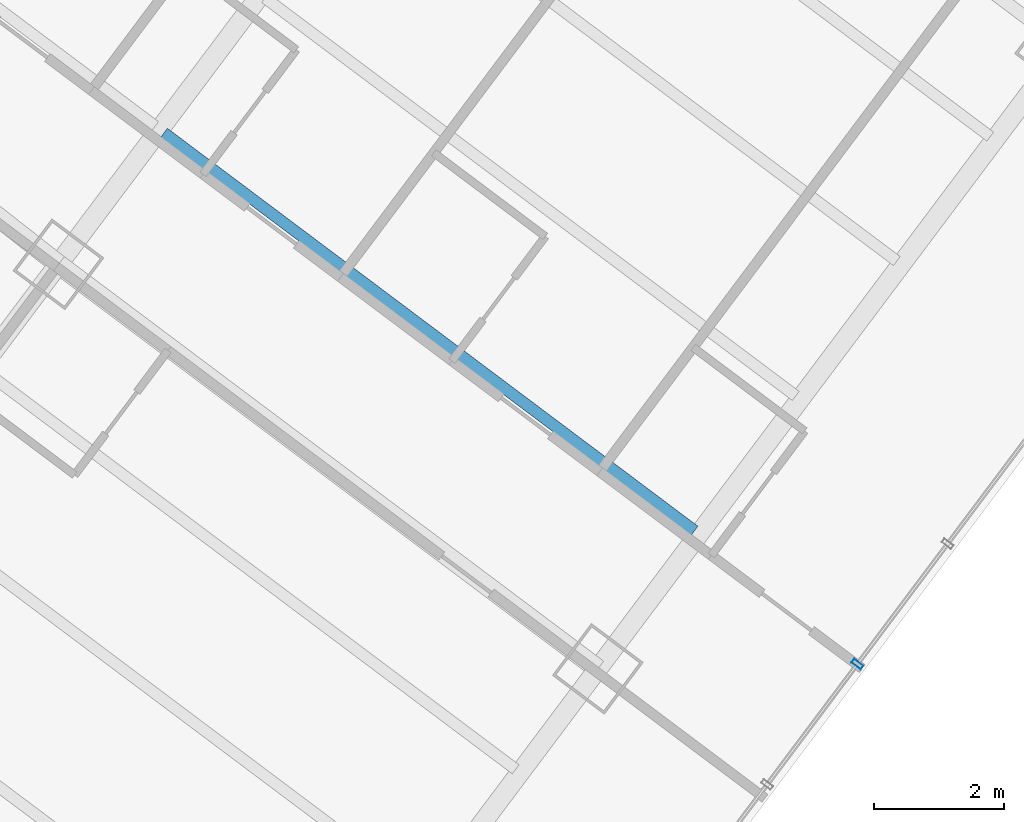
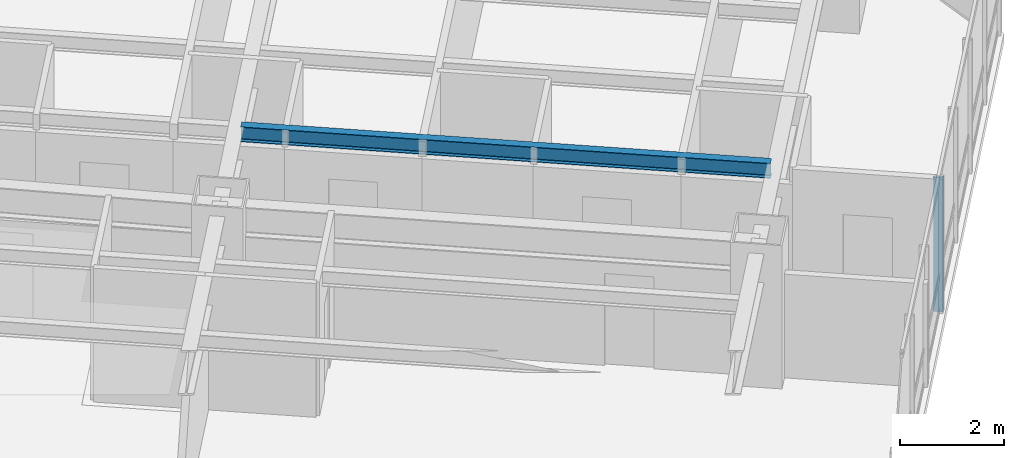
# One storey, part 10 of 33: 1 beam, 1 member, 1 element without a shape of its own.
"""IFC4 building model written with IfcOpenShell, lengths in metres."""

import ifcopenshell
import ifcopenshell.guid

model = None  # the IFC model being written
_history = None  # IfcOwnerHistory: only IFC2X3 demands one
_inside = {}  # id of a spatial element -> (the spatial element, [elements in it])
_under = {}  # id of a project, library or spatial element -> (it, [spatial elements below it])
_declared = {}  # id of a project -> (the project, [libraries it declares])
_typed = {}  # id of a type object -> (the type object, [elements of that type])
_made_of = {}  # id of a material, layer set ... -> (it, [elements and type objects made of it])


def new_model(schema):
    """Start an empty IFC model of exactly this schema.

    Asked for "IFC4X3", IfcOpenShell would pick the latest addendum, in which some entities
    have other attributes; the version numbers below select the first issue.
    IFC2X3 requires an IfcOwnerHistory on every rooted entity: one is made here for all.
    """
    global model, _history
    if schema == "IFC4X3":
        model = ifcopenshell.file(schema_version=(4, 3, 0, 0))
    else:
        model = ifcopenshell.file(schema=schema)
    _inside.clear()
    _under.clear()
    _declared.clear()
    _typed.clear()
    _made_of.clear()
    _history = None
    if model.schema == "IFC2X3":
        org = make("IfcOrganization", Name="unknown")
        user = make(
            "IfcPersonAndOrganization",
            ThePerson=make("IfcPerson", FamilyName="unknown"),
            TheOrganization=org,
        )
        app = make(
            "IfcApplication",
            ApplicationDeveloper=org,
            Version="unknown",
            ApplicationFullName="unknown",
            ApplicationIdentifier="unknown",
        )
        _history = make(
            "IfcOwnerHistory",
            OwningUser=user,
            OwningApplication=app,
            ChangeAction="ADDED",
            CreationDate=0,
        )
    return model


def make(cls, **values):
    """One entity of the class cls with the attributes given. An attribute that is None is left unset."""
    return model.create_entity(
        cls, **{name: value for name, value in values.items() if value is not None}
    )


def rooted(cls, **values):
    """An entity with a GlobalId (a new one), such as an element, a storey or a relation."""
    return make(cls, GlobalId=ifcopenshell.guid.new(), OwnerHistory=_history, **values)


def si_unit(unit_type, name, prefix=None):
    """IfcSIUnit, for example si_unit("LENGTHUNIT", "METRE", prefix="MILLI")."""
    return make("IfcSIUnit", UnitType=unit_type, Prefix=prefix, Name=name)


def assignment(units):
    """IfcUnitAssignment: the units of a project."""
    return None if units is None else make("IfcUnitAssignment", Units=units)


def point(xyz):
    """IfcCartesianPoint."""
    return None if xyz is None else make("IfcCartesianPoint", Coordinates=xyz)


def direction(xyz):
    """IfcDirection."""
    return None if xyz is None else make("IfcDirection", DirectionRatios=xyz)


def frame(location, z_axis=None, x_axis=None):
    """IfcAxis2Placement3D, a coordinate frame: its origin and axes. An axis left out is left unset."""
    return make(
        "IfcAxis2Placement3D",
        Location=point(location),
        Axis=direction(z_axis),
        RefDirection=direction(x_axis),
    )


def frame_2d(location, x_axis=None):
    """IfcAxis2Placement2D, a coordinate frame in the plane: its origin and x axis."""
    return make(
        "IfcAxis2Placement2D", Location=point(location), RefDirection=direction(x_axis)
    )


def origin():
    """The frame at (0, 0, 0) with its axes left unset."""
    return frame((0.0, 0.0, 0.0))


def origin_2d():
    """The frame at (0, 0) in the plane with its x axis left unset."""
    return frame_2d((0.0, 0.0))


def place(relative_to, where):
    """IfcLocalPlacement: puts the frame where relative to a parent placement (None: the world)."""
    return make(
        "IfcLocalPlacement", PlacementRelTo=relative_to, RelativePlacement=where
    )


def context(
    kind, dimensions, precision=None, world=None, true_north=None, identifier=None
):
    """IfcGeometricRepresentationContext, for example the 3D "Model" context."""
    return make(
        "IfcGeometricRepresentationContext",
        ContextIdentifier=identifier,
        ContextType=kind,
        CoordinateSpaceDimension=dimensions,
        Precision=precision,
        WorldCoordinateSystem=world,
        TrueNorth=true_north,
    )


def subcontext(parent, identifier, kind, view, scale=None):
    """IfcGeometricRepresentationSubContext, for example "Body" below "Model"."""
    return make(
        "IfcGeometricRepresentationSubContext",
        ContextIdentifier=identifier,
        ContextType=kind,
        ParentContext=parent,
        TargetScale=scale,
        TargetView=view,
    )


def project(units=None, contexts=None):
    """IfcProject with its units and contexts."""
    return rooted(
        "IfcProject",
        Name="project",
        RepresentationContexts=contexts,
        UnitsInContext=assignment(units),
    )


def spatial(cls, under=None, at=None, **own):
    """A site, building, storey or space (cls), placed at a placement, below another one or the project."""
    s = rooted(cls, ObjectPlacement=at, **own)
    if under is not None:
        _under.setdefault(under.id(), (under, []))[1].append(s)
    return s


def profile(cls, at=None, kind="AREA", **sizes):
    """A parametric profile (cls). Its sizes go by their IFC names, for example OverallWidth=200.0."""
    return make(cls, ProfileType=kind, Position=at, **sizes)


def hollow_rectangle(**sizes):
    """IfcRectangleHollowProfileDef."""
    return profile("IfcRectangleHollowProfileDef", **sizes)


def i_section(**sizes):
    """IfcIShapeProfileDef."""
    return profile("IfcIShapeProfileDef", **sizes)


def extrude(swept, where, along, depth):
    """IfcExtrudedAreaSolid: the profile swept, set in the frame where, extruded along a direction by depth."""
    return make(
        "IfcExtrudedAreaSolid",
        SweptArea=swept,
        Position=where,
        ExtrudedDirection=direction(along),
        Depth=depth,
    )


def shape(context_of_items, identifier, shape_type, items):
    """IfcShapeRepresentation: the items that make up one representation, for example the "Body"."""
    return make(
        "IfcShapeRepresentation",
        ContextOfItems=context_of_items,
        RepresentationIdentifier=identifier,
        RepresentationType=shape_type,
        Items=items,
    )


def material(Name=None, Category=None):
    """IfcMaterial."""
    return make("IfcMaterial", Name=Name, Category=Category)


def layer(
    of_material, thickness, ventilated=None, Name=None, Category=None, Priority=None
):
    """IfcMaterialLayer: one layer of a wall or slab, of a material (None: an air gap)."""
    return make(
        "IfcMaterialLayer",
        Material=of_material,
        LayerThickness=thickness,
        IsVentilated=ventilated,
        Name=Name,
        Category=Category,
        Priority=Priority,
    )


def layer_set(layers, Name=None):
    """IfcMaterialLayerSet."""
    return make("IfcMaterialLayerSet", MaterialLayers=layers, LayerSetName=Name)


def material_profile(
    of_material, cross_section, Name=None, Category=None, Priority=None
):
    """IfcMaterialProfile: a cross section and its material."""
    return make(
        "IfcMaterialProfile",
        Name=Name,
        Material=of_material,
        Profile=cross_section,
        Priority=Priority,
        Category=Category,
    )


def profile_set(profiles, Name=None, composite=None):
    """IfcMaterialProfileSet."""
    return make(
        "IfcMaterialProfileSet",
        Name=Name,
        MaterialProfiles=profiles,
        CompositeProfile=composite,
    )


def made_of(thing, what):
    """Note that an element or type object is made of a material, layer set ...; save() writes the relation."""
    if what is not None:
        _made_of.setdefault(what.id(), (what, []))[1].append(thing)
    return thing


def type_object(cls, material=None, **own):
    """A type object (cls), such as IfcWallType, which elements share."""
    return made_of(rooted(cls, **own), material)


def element(
    cls,
    number,
    at=None,
    inside=None,
    cuts=None,
    type_object=None,
    material=None,
    context=None,
    identifier="Body",
    shape_type=None,
    held_by="IfcProductDefinitionShape",
    body=None,
    shapes=None,
    **own,
):
    """One element of the class cls, such as IfcWall. Its Tag is "e" and its number.

    at: its placement. inside: the storey or other place that contains it. cuts: it is an
    opening in that element (IfcRelVoidsElement). A single representation is given by context,
    identifier, shape_type and body (its items); several are given by shapes. held_by: the class
    of the entity that holds the representations. save() writes the other relations.
    """
    e = rooted(cls, Tag="e%d" % number, ObjectPlacement=at, **own)
    if body is not None:
        shapes = [shape(context, identifier, shape_type, body)]
    if shapes is not None:
        e.Representation = make(held_by, Representations=shapes)
    if inside is not None:
        _inside.setdefault(inside.id(), (inside, []))[1].append(e)
    if cuts is not None:
        rooted(
            "IfcRelVoidsElement", RelatingBuildingElement=cuts, RelatedOpeningElement=e
        )
    if type_object is not None:
        _typed.setdefault(type_object.id(), (type_object, []))[1].append(e)
    return made_of(e, material)


def aggregate(whole, parts):
    """IfcRelAggregates: a whole, such as a stair, and the parts it consists of."""
    return rooted("IfcRelAggregates", RelatingObject=whole, RelatedObjects=parts)


def save(model, path):
    """Write the relations noted so far, then the file.

    IfcRelAggregates (storeys below a building ...), IfcRelContainedInSpatialStructure (elements
    in a storey), IfcRelDefinesByType, IfcRelAssociatesMaterial and IfcRelDeclares: one each for
    every whole, place, type object, material and project.
    """
    for whole, parts in _under.values():
        aggregate(whole, parts)
    for where, things in _inside.values():
        rooted(
            "IfcRelContainedInSpatialStructure",
            RelatedElements=things,
            RelatingStructure=where,
        )
    for kind, things in _typed.values():
        rooted("IfcRelDefinesByType", RelatedObjects=things, RelatingType=kind)
    for what, things in _made_of.values():
        rooted("IfcRelAssociatesMaterial", RelatedObjects=things, RelatingMaterial=what)
    for by, libraries in _declared.values():
        rooted("IfcRelDeclares", RelatingContext=by, RelatedDefinitions=libraries)
    model.write(path)


model = new_model("IFC4")

# Units and contexts
model_context = context("Model", 3, precision=1e-05, world=origin(), true_north=direction((0.0, 1.0)))
body_context = subcontext(model_context, "Body", "Model", "MODEL_VIEW")
ifc_project = project(units=[si_unit("LENGTHUNIT", "METRE"), si_unit("AREAUNIT", "SQUARE_METRE"), si_unit("VOLUMEUNIT", "CUBIC_METRE"), si_unit("PLANEANGLEUNIT", "RADIAN"), si_unit("MASSUNIT", "GRAM", prefix="KILO")], contexts=[model_context])

# Site, building, storey
site_placement = place(None, origin())
site = spatial("IfcSite", under=ifc_project, at=site_placement, CompositionType="ELEMENT")
building_placement = place(site_placement, origin())
building = spatial("IfcBuilding", under=site, at=building_placement, Name="Hatsunagi Terrace Concourse", CompositionType="ELEMENT")
storey_placement = place(building_placement, frame((0.0, 0.0, 43.300048828125)))
storey = spatial("IfcBuildingStorey", under=building, at=storey_placement, Name="L10", CompositionType="ELEMENT", Elevation=43.300048828125)

# Curtain wall, member
ifc_material_1 = material(Name="Anodised Aluminium Alloy 6063-T5", Category="aluminium")
ifc_layer = layer(ifc_material_1, 0.199951171875)
ifc_layer_set = layer_set([ifc_layer], Name="HotelFacade_CW02")
curtain_wall_type = type_object("IfcCurtainWallType", Name="HotelFacade_CW02", PredefinedType="NOTDEFINED", material=ifc_layer_set)
curtain_wall_placement = place(storey_placement, origin())
curtain_wall = element("IfcCurtainWall", 1, at=curtain_wall_placement, inside=storey, type_object=curtain_wall_type, Name="Unitised Curtain Wall CW-02 CW-L10-03", PredefinedType="NOTDEFINED")
ifc_material_2 = material(Name="Anodised Aluminium Alloy 6063-T5", Category="aluminium")
ifc_material_profile_1 = material_profile(ifc_material_2, hollow_rectangle(XDim=0.070068359375, YDim=0.179931640625, WallThickness=0.00390625, at=origin_2d()), Name="ALU-MUL-180x70x4")
ifc_profile_set_1 = profile_set([ifc_material_profile_1], Name="Anodised Aluminium Alloy 6063-T5")
member_type = type_object("IfcMemberType", Name="CurtainWallMullion_180x70", PredefinedType="MULLION", material=ifc_profile_set_1)
member_placement = place(storey_placement, frame((63.52392578125, 12.23193359375, 0.0), z_axis=(0.0, 0.0, 1.0), x_axis=(-0.599969314634, -0.800023013105, 0.0)))
member = element("IfcMember", 2, at=member_placement, type_object=member_type, Name="Curtain Wall Mullion MUL-02", PredefinedType="MULLION", context=body_context, shape_type="SweptSolid", body=[
    extrude(hollow_rectangle(XDim=0.070068359375, YDim=0.179931640625, WallThickness=0.00390625, at=origin_2d()), origin(), (0.0, 0.0, 1.0), 3.1298828125),
])
aggregate(curtain_wall, [member])

# Beam
ifc_material_3 = material(Name="Steel SN490B", Category="steel")
ifc_material_profile_2 = material_profile(ifc_material_3, i_section(OverallWidth=0.175048828125, OverallDepth=0.35009765625, WebThickness=0.007080078125, FlangeThickness=0.010986328125, FilletRadius=0.012939453125, at=origin_2d()), Name="H-350x175x7x11")
ifc_profile_set_2 = profile_set([ifc_material_profile_2], Name="Steel SN490B")
beam_type = type_object("IfcBeamType", Name="HotelJoist_H_350x175", PredefinedType="JOIST", material=ifc_profile_set_2)
beam_placement = place(storey_placement, frame((52.827880859375, 20.428955078125, 2.954833984375), z_axis=(0.800005727586, -0.599992363142, 0.0), x_axis=(0.599992363142, 0.800005727586, 0.0)))
element("IfcBeam", 3, at=beam_placement, inside=storey, type_object=beam_type, Name="Beam J-02 J-L10-SE-3-142", PredefinedType="JOIST", context=body_context, shape_type="SweptSolid", body=[
    extrude(i_section(OverallWidth=0.175048828125, OverallDepth=0.35009765625, WebThickness=0.007080078125, FlangeThickness=0.010986328125, FilletRadius=0.012939453125, at=origin_2d()), origin(), (0.0, 0.0, 1.0), 10.22998046875),
])

save(model, "model.ifc")
